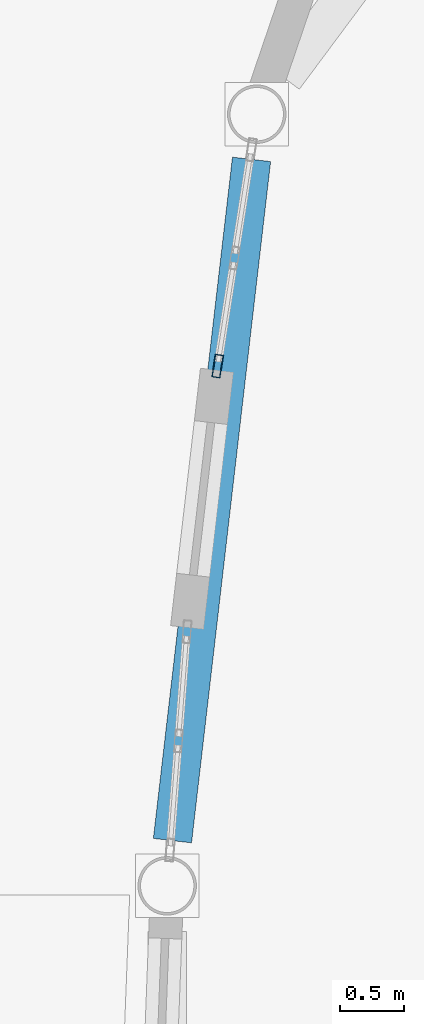
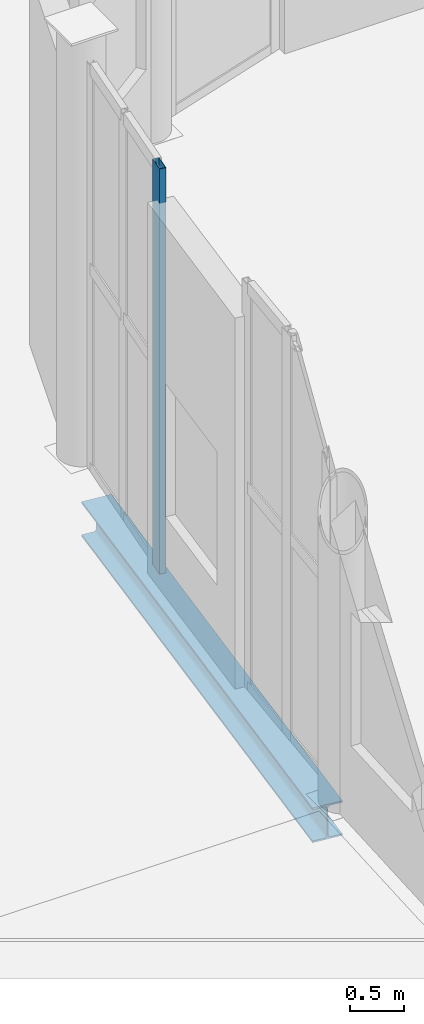
# One storey, part 40 of 91: 1 beam, 1 member, 1 element without a shape of its own.
"""IFC4 building model written with IfcOpenShell, lengths in metres."""

from ifc_helpers import new_model, si_unit, direction, frame, origin, origin_2d, place, context, subcontext, project, spatial, hollow_rectangle, i_section, extrude, material, layer, layer_set, material_profile, profile_set, type_object, element, aggregate, save


model = new_model("IFC4")

# Units and contexts
model_context = context("Model", 3, precision=1e-05, world=origin(), true_north=direction((0.0, 1.0)))
body_context = subcontext(model_context, "Body", "Model", "MODEL_VIEW")
ifc_project = project(units=[si_unit("LENGTHUNIT", "METRE"), si_unit("AREAUNIT", "SQUARE_METRE"), si_unit("VOLUMEUNIT", "CUBIC_METRE"), si_unit("PLANEANGLEUNIT", "RADIAN"), si_unit("MASSUNIT", "GRAM", prefix="KILO")], contexts=[model_context])

# Site, building, storey
site_placement = place(None, origin())
site = spatial("IfcSite", under=ifc_project, at=site_placement, CompositionType="ELEMENT")
building_placement = place(site_placement, origin())
building = spatial("IfcBuilding", under=site, at=building_placement, Name="Vinh Khe Railworks Police Headquarters", CompositionType="ELEMENT")
storey_placement = place(building_placement, origin())
storey = spatial("IfcBuildingStorey", under=building, at=storey_placement, Name="L00", CompositionType="ELEMENT", Elevation=0.0)

# Curtain wall, member
ifc_material_1 = material(Name="Anodised aluminium and acoustic laminated glass", Category="aluminium")
ifc_layer = layer(ifc_material_1, 0.159912109375)
ifc_layer_set = layer_set([ifc_layer], Name="Anodised aluminium and acoustic laminated glass")
curtain_wall_type = type_object("IfcCurtainWallType", Name="CW-DRUM-CHORD", PredefinedType="USERDEFINED", material=ifc_layer_set)
curtain_wall_placement = place(storey_placement, origin())
curtain_wall = element("IfcCurtainWall", 1, at=curtain_wall_placement, inside=storey, type_object=curtain_wall_type, Name="Elliptical Command Drum Glazing L00 Chord 19", ObjectType="DRUM FACADE GLAZING", PredefinedType="USERDEFINED")
ifc_material_2 = material(Name="Anodised aluminium 6063-T6", Category="aluminium")
ifc_material_profile_1 = material_profile(ifc_material_2, hollow_rectangle(XDim=0.06494140625, YDim=0.179931640625, WallThickness=0.0048828125, at=origin_2d()), Name="CW-M 65x180x5")
ifc_profile_set_1 = profile_set([ifc_material_profile_1], Name="Anodised aluminium 6063-T6")
member_type = type_object("IfcMemberType", Name="MULL-CWM-02", PredefinedType="MULLION", material=ifc_profile_set_1)
member_placement = place(storey_placement, frame((37.181396484375, 49.089599609375, 0.0), z_axis=(0.0, 0.0, 1.0), x_axis=(0.988149989037, -0.153491365117, 0.0)))
member = element("IfcMember", 2, at=member_placement, type_object=member_type, Name="CW-02 mullion 3", PredefinedType="MULLION", context=body_context, shape_type="SweptSolid", body=[
    extrude(hollow_rectangle(XDim=0.06494140625, YDim=0.179931640625, WallThickness=0.0048828125, at=origin_2d()), origin(), (0.0, 0.0, 1.0), 4.550048828125),
])
aggregate(curtain_wall, [member])

# Beam
ifc_material_3 = material(Name="Steel S355JR", Category="steel")
ifc_material_profile_2 = material_profile(ifc_material_3, i_section(OverallWidth=0.300048828125, OverallDepth=0.389892578125, WebThickness=0.010986328125, FlangeThickness=0.01904296875, FilletRadius=0.027099609375, at=origin_2d()), Name="HEA 400")
ifc_profile_set_2 = profile_set([ifc_material_profile_2], Name="Steel S355JR")
beam_type = type_object("IfcBeamType", Name="Steel Girder HEA 400", PredefinedType="BEAM", material=ifc_profile_set_2)
beam_placement = place(storey_placement, frame((37.446044921875, 50.703369140625, -0.47509765625), z_axis=(-0.115314624092, -0.993329017733, 0.0), x_axis=(0.993329017733, -0.115314624092, 0.0)))
element("IfcBeam", 3, at=beam_placement, inside=storey, type_object=beam_type, Name="Drum Ring Girder BM-L00-DRUM-SB-14-0401", PredefinedType="BEAM", context=body_context, shape_type="SweptSolid", body=[
    extrude(i_section(OverallWidth=0.300048828125, OverallDepth=0.389892578125, WebThickness=0.010986328125, FlangeThickness=0.01904296875, FilletRadius=0.027099609375, at=origin_2d()), origin(), (0.0, 0.0, 1.0), 5.354248046875),
])

save(model, "model.ifc")
